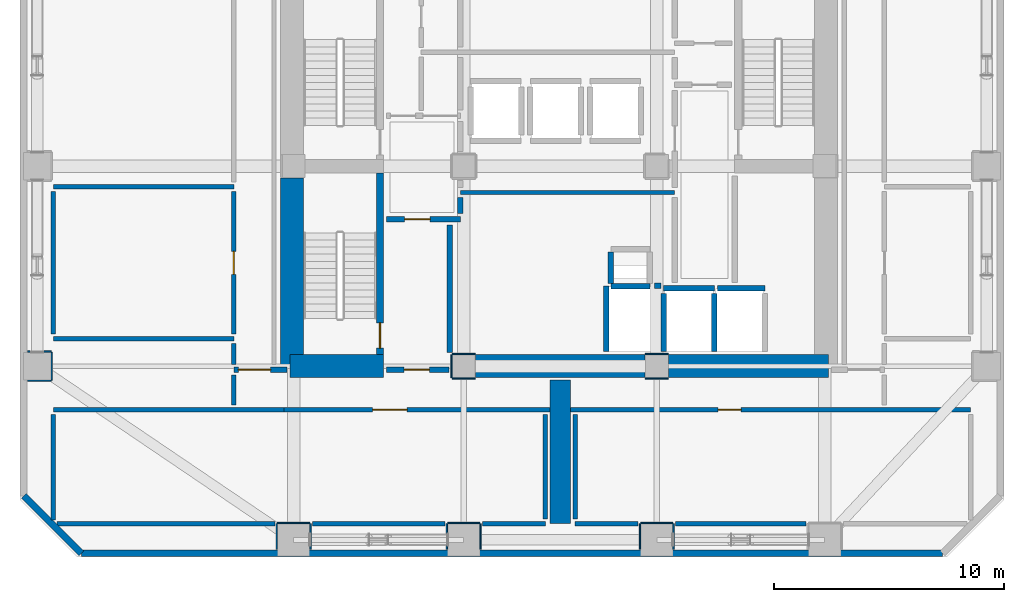
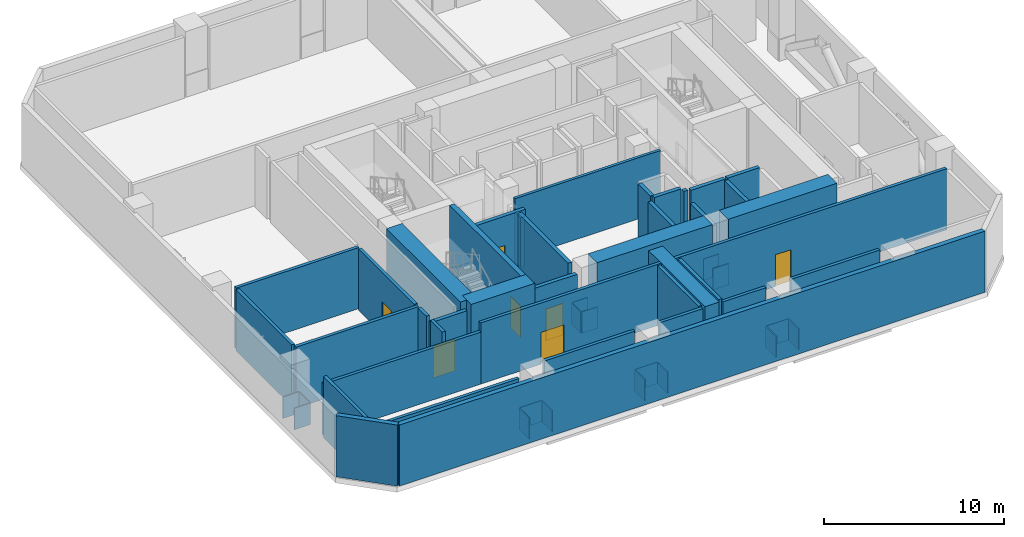
# One storey, part 7 of 11: 55 walls, 7 doors, 7 openings.
"""IFC4 building model written with IfcOpenShell, lengths in metres."""

from ifc_helpers import new_model, si_unit, direction, frame, frame_2d, origin, place, context, subcontext, project, spatial, rectangle, extrude, material, layer, layer_set, type_object, element, fill, save


model = new_model("IFC4")

# Units and contexts
model_context = context("Model", 3, precision=1e-05, world=origin(), true_north=direction((0.0, 1.0)))
body_context = subcontext(model_context, "Body", "Model", "MODEL_VIEW")
ifc_project = project(units=[si_unit("LENGTHUNIT", "METRE"), si_unit("AREAUNIT", "SQUARE_METRE"), si_unit("VOLUMEUNIT", "CUBIC_METRE"), si_unit("PLANEANGLEUNIT", "RADIAN"), si_unit("MASSUNIT", "GRAM", prefix="KILO")], contexts=[model_context])

# Site, building, storey
site_placement = place(None, origin())
site = spatial("IfcSite", under=ifc_project, at=site_placement, CompositionType="ELEMENT")
building_placement = place(site_placement, origin())
building = spatial("IfcBuilding", under=site, at=building_placement, Name="Solanera Arch Residences", CompositionType="ELEMENT")
storey_placement = place(building_placement, frame((0.0, 0.0, 88.39990234375)))
storey = spatial("IfcBuildingStorey", under=building, at=storey_placement, Name="L25", CompositionType="ELEMENT", Elevation=88.39990234375)

# Walls
ifc_material_1 = material(Name="Fire-Rated Gypsum Stud Partition", Category="gypsum")
ifc_layer_1 = layer(ifc_material_1, 0.06005859375)
ifc_layer_set_1 = layer_set([ifc_layer_1], Name="Fire-Rated Gypsum Stud Partition")
wall_type_1 = type_object("IfcWallType", Name="Column Acoustic Furring Wall 60", PredefinedType="PARTITIONING", material=ifc_layer_set_1)
for number, where, z_axis, x_axis, name in (
    (1, (20.300048828125, 21.468017578125, 0.0), (0.0, 0.0, 1.0), (1.0, 0.0, 0.0), "L25 Column Furring 1S"),
    (2, (20.300048828125, 22.531982421875, 0.0), (0.0, 0.0, 1.0), (1.0, 0.0, 0.0), "L25 Column Furring 1N"),
    (3, (20.26806640625, 21.5, 0.0), (0.0, 0.0, 1.0), (0.0, 1.0, 0.0), "L25 Column Furring 1W"),
    (4, (28.699951171875, 21.468017578125, 0.0), (0.0, 0.0, 1.0), (1.0, 0.0, 0.0), "L25 Column Furring 2S"),
    (5, (28.699951171875, 22.531982421875, 0.0), (0.0, 0.0, 1.0), (1.0, 0.0, 0.0), "L25 Column Furring 2N"),
):
    element("IfcWall", number, at=place(storey_placement, frame(where, z_axis=z_axis, x_axis=x_axis)), inside=storey, type_object=wall_type_1, Name=name, PredefinedType="PARTITIONING", context=body_context, shape_type="SweptSolid", body=[
        extrude(rectangle(XDim=1.0, YDim=0.06005859375, at=frame_2d((0.5, 0.0))), origin(), (0.0, 0.0, 1.0), 1.4501953125),
    ])
wall_1_placement = place(storey_placement, frame((12.699951171875, 15.181884765625, 0.0), z_axis=(0.0, 0.0, 1.0), x_axis=(1.0, 0.0, 0.0)))
element("IfcWall", 6, at=wall_1_placement, inside=storey, type_object=wall_type_1, Name="L25 Column Furring 9N", PredefinedType="PARTITIONING", context=body_context, shape_type="SweptSolid", body=[
    extrude(rectangle(XDim=1.400146484375, YDim=0.06005859375, at=frame_2d((0.7001953125, 0.0))), origin(), (0.0, 0.0, 1.0), 1.4501953125),
])
for number, where, z_axis, x_axis, name in (
    (7, (12.66796875, 14.030029296875, 0.0), (0.0, 0.0, 1.0), (0.0, 1.0, 0.0), "L25 Column Furring 9W"),
    (8, (14.132080078125, 14.030029296875, 0.0), (0.0, 0.0, 1.0), (0.0, 1.0, 0.0), "L25 Column Furring 9E"),
):
    element("IfcWall", number, at=place(storey_placement, frame(where, z_axis=z_axis, x_axis=x_axis)), inside=storey, type_object=wall_type_1, Name=name, PredefinedType="PARTITIONING", context=body_context, shape_type="SweptSolid", body=[
        extrude(rectangle(XDim=1.119873046875, YDim=0.06005859375, at=frame_2d((0.56005859375, 0.0))), origin(), (0.0, 0.0, 1.0), 1.4501953125),
    ])
wall_2_placement = place(storey_placement, frame((20.10009765625, 15.181884765625, 0.0), z_axis=(0.0, 0.0, 1.0), x_axis=(1.0, 0.0, 0.0)))
element("IfcWall", 9, at=wall_2_placement, inside=storey, type_object=wall_type_1, Name="L25 Column Furring 11N", PredefinedType="PARTITIONING", context=body_context, shape_type="SweptSolid", body=[
    extrude(rectangle(XDim=1.39990234375, YDim=0.06005859375, at=frame_2d((0.699951171875, 0.0))), origin(), (0.0, 0.0, 1.0), 1.4501953125),
])
for number, where, z_axis, x_axis, name in (
    (10, (20.068115234375, 14.030029296875, 0.0), (0.0, 0.0, 1.0), (0.0, 1.0, 0.0), "L25 Column Furring 11W"),
    (11, (21.531982421875, 14.030029296875, 0.0), (0.0, 0.0, 1.0), (0.0, 1.0, 0.0), "L25 Column Furring 11E"),
):
    element("IfcWall", number, at=place(storey_placement, frame(where, z_axis=z_axis, x_axis=x_axis)), inside=storey, type_object=wall_type_1, Name=name, PredefinedType="PARTITIONING", context=body_context, shape_type="SweptSolid", body=[
        extrude(rectangle(XDim=1.119873046875, YDim=0.06005859375, at=frame_2d((0.56005859375, 0.0))), origin(), (0.0, 0.0, 1.0), 1.4501953125),
    ])
wall_3_placement = place(storey_placement, frame((28.5, 15.181884765625, 0.0), z_axis=(0.0, 0.0, 1.0), x_axis=(1.0, 0.0, 0.0)))
element("IfcWall", 12, at=wall_3_placement, inside=storey, type_object=wall_type_1, Name="L25 Column Furring 13N", PredefinedType="PARTITIONING", context=body_context, shape_type="SweptSolid", body=[
    extrude(rectangle(XDim=1.39990234375, YDim=0.06005859375, at=frame_2d((0.699951171875, 0.0))), origin(), (0.0, 0.0, 1.0), 1.4501953125),
])
for number, where, z_axis, x_axis, name in (
    (13, (28.468017578125, 14.030029296875, 0.0), (0.0, 0.0, 1.0), (0.0, 1.0, 0.0), "L25 Column Furring 13W"),
    (14, (29.931884765625, 14.030029296875, 0.0), (0.0, 0.0, 1.0), (0.0, 1.0, 0.0), "L25 Column Furring 13E"),
):
    element("IfcWall", number, at=place(storey_placement, frame(where, z_axis=z_axis, x_axis=x_axis)), inside=storey, type_object=wall_type_1, Name=name, PredefinedType="PARTITIONING", context=body_context, shape_type="SweptSolid", body=[
        extrude(rectangle(XDim=1.119873046875, YDim=0.06005859375, at=frame_2d((0.56005859375, 0.0))), origin(), (0.0, 0.0, 1.0), 1.4501953125),
    ])
for number, where, z_axis, x_axis, name in (
    (15, (1.830078125, 21.367919921875, 0.0), (0.0, 0.0, 1.0), (1.0, 0.0, 0.0), "L25 Column Furring 17S"),
    (16, (1.830078125, 22.632080078125, 0.0), (0.0, 0.0, 1.0), (1.0, 0.0, 0.0), "L25 Column Furring 17N"),
):
    element("IfcWall", number, at=place(storey_placement, frame(where, z_axis=z_axis, x_axis=x_axis)), inside=storey, type_object=wall_type_1, Name=name, PredefinedType="PARTITIONING", context=body_context, shape_type="SweptSolid", body=[
        extrude(rectangle(XDim=1.02001953125, YDim=0.06005859375, at=frame_2d((0.510009765625, 0.0))), origin(), (0.0, 0.0, 1.0), 1.4501953125),
    ])
wall_4_placement = place(storey_placement, frame((2.882080078125, 21.39990234375, 0.0), z_axis=(0.0, 0.0, 1.0), x_axis=(0.0, 1.0, 0.0)))
element("IfcWall", 17, at=wall_4_placement, inside=storey, type_object=wall_type_1, Name="L25 Column Furring 17E", PredefinedType="PARTITIONING", context=body_context, shape_type="SweptSolid", body=[
    extrude(rectangle(XDim=1.2001953125, YDim=0.06005859375, at=frame_2d((0.60009765625, 0.0))), origin(), (0.0, 0.0, 1.0), 1.4501953125),
])
ifc_material_2 = material(Name="Concrete C55/67 (f'c = 60 MPa)", Category="concrete")
ifc_layer_2 = layer(ifc_material_2, 1.0)
ifc_layer_set_2 = layer_set([ifc_layer_2], Name="Concrete C55/67 (f'c = 60 MPa)")
wall_type_2 = type_object("IfcWallType", Name="Core Shear Wall CW-1000", PredefinedType="SHEAR", material=ifc_layer_set_2)
wall_5_placement = place(storey_placement, frame((13.340087890625, 22.0, 0.0), z_axis=(0.0, 0.0, 1.0), x_axis=(0.0, 1.0, 0.0)))
element("IfcWall", 18, at=wall_5_placement, inside=storey, type_object=wall_type_2, Name="L25 West Core South Shear Wall", PredefinedType="SHEAR", context=body_context, shape_type="SweptSolid", body=[
    extrude(rectangle(XDim=8.195068359375, YDim=1.0, at=frame_2d((4.09765625, 0.0))), origin(), (0.0, 0.0, 1.0), 4.400146484375),
])
wall_6_placement = place(storey_placement, frame((13.239990234375, 22.0, 0.0), z_axis=(0.0, 0.0, 1.0), x_axis=(1.0, 0.0, 0.0)))
element("IfcWall", 19, at=wall_6_placement, inside=storey, type_object=wall_type_2, Name="L25 South-West Core Shear Wall", PredefinedType="SHEAR", context=body_context, shape_type="SweptSolid", body=[
    extrude(rectangle(XDim=4.080078125, YDim=1.0, at=frame_2d((2.0400390625, 0.0))), origin(), (0.0, 0.0, 1.0), 4.400146484375),
])
wall_7_placement = place(storey_placement, frame((29.705078125, 22.0, 0.0), z_axis=(0.0, 0.0, 1.0), x_axis=(1.0, 0.0, 0.0)))
element("IfcWall", 20, at=wall_7_placement, inside=storey, type_object=wall_type_2, Name="L25 South-East Core Shear Wall", PredefinedType="SHEAR", context=body_context, shape_type="SweptSolid", body=[
    extrude(rectangle(XDim=6.954833984375, YDim=1.0, at=frame_2d((3.4775390625, 0.0))), origin(), (0.0, 0.0, 1.0), 4.400146484375),
])
wall_8_placement = place(storey_placement, frame((21.304931640625, 22.0, 0.0), z_axis=(0.0, 0.0, 1.0), x_axis=(1.0, 0.0, 0.0)))
element("IfcWall", 21, at=wall_8_placement, inside=storey, type_object=wall_type_2, Name="L25 Central South Core Shear Wall", PredefinedType="SHEAR", context=body_context, shape_type="SweptSolid", body=[
    extrude(rectangle(XDim=7.39013671875, YDim=1.0, at=frame_2d((3.695068359375, 0.0))), origin(), (0.0, 0.0, 1.0), 4.400146484375),
])

# Wall, opening, door
ifc_material_3 = material(Name="Concrete C40/50 (f'c = 45 MPa)", Category="concrete")
ifc_layer_3 = layer(ifc_material_3, 0.320068359375)
ifc_layer_set_3 = layer_set([ifc_layer_3], Name="Concrete C40/50 (f'c = 45 MPa)")
wall_type_3 = type_object("IfcWallType", Name="Core Shear Wall CW-320", PredefinedType="SHEAR", material=ifc_layer_set_3)
wall_9_placement = place(storey_placement, frame((17.159912109375, 22.5, 0.0), z_axis=(0.0, 0.0, 1.0), x_axis=(0.0, 1.0, 0.0)))
wall_9 = element("IfcWall", 22, at=wall_9_placement, inside=storey, type_object=wall_type_3, Name="L25 Stair ST-T3 East Shear Wall", PredefinedType="SHEAR", context=body_context, shape_type="SweptSolid", body=[
    extrude(rectangle(XDim=7.89990234375, YDim=0.320068359375, at=frame_2d((3.949951171875, 0.0))), origin(), (0.0, 0.0, 1.0), 4.400146484375),
])
opening_1_placement = place(wall_9_placement, frame((0.2900390625, 0.0, 0.0)))
opening_1 = element("IfcOpeningElement", 23, at=opening_1_placement, cuts=wall_9, Name="Opening DF-01", PredefinedType="OPENING", context=body_context, shape_type="SweptSolid", body=[
    extrude(rectangle(XDim=1.10009765625, YDim=2.14990234375, at=frame_2d((0.550048828125, 1.074951171875))), frame((0.0, 0.169921875, 0.0), z_axis=(0.0, -1.0, 0.0), x_axis=(1.0, 0.0, 0.0)), (0.0, 0.0, 1.0), 0.3401),
])
ifc_material_4 = material(Name="Fire-Rated Architectural Hardwood", Category="wood")
door_type_1 = type_object("IfcDoorType", Name="Stair Exit Fire Door DF-01", OperationType="NOTDEFINED", PredefinedType="DOOR", material=ifc_material_4)
door_1_placement = place(opening_1_placement, origin())
door_1 = element("IfcDoor", 24, at=door_1_placement, inside=storey, type_object=door_type_1, Name="DR-L25-STAIR-ST-T3", OperationType="SINGLE_SWING_LEFT", OverallHeight=2.14990234375, OverallWidth=1.10009765625, PredefinedType="DOOR", context=body_context, shape_type="SweptSolid", body=[
    extrude(rectangle(XDim=1.10009765625, YDim=2.14990234375, at=frame_2d((0.550048828125, 1.074951171875))), frame((0.0, 0.02490234375, 0.0), z_axis=(0.0, -1.0, 0.0), x_axis=(1.0, 0.0, 0.0)), (0.0, 0.0, 1.0), 0.050048828125),
])
fill(opening_1, door_1)

# Walls
ifc_material_5 = material(Name="Concrete C55/67 (f'c = 60 MPa)", Category="concrete")
ifc_layer_4 = layer(ifc_material_5, 0.89990234375)
ifc_layer_set_4 = layer_set([ifc_layer_4], Name="Concrete C55/67 (f'c = 60 MPa)")
wall_type_4 = type_object("IfcWallType", Name="Core Shear Wall Outrigger OW-900", PredefinedType="SHEAR", material=ifc_layer_set_4)
wall_10_placement = place(storey_placement, frame((25.0, 15.14990234375, 0.0), z_axis=(0.0, 0.0, 1.0), x_axis=(0.0, 1.0, 0.0)))
element("IfcWall", 25, at=wall_10_placement, inside=storey, type_object=wall_type_4, Name="L25 South Outrigger Shear Wall", PredefinedType="SHEAR", context=body_context, shape_type="SweptSolid", body=[
    extrude(rectangle(XDim=6.25, YDim=0.89990234375, at=frame_2d((3.125, 0.0))), origin(), (0.0, 0.0, 1.0), 4.14013671875),
])
ifc_material_6 = material(Name="Autoclaved Aerated Concrete Blockwork", Category="masonry")
ifc_layer_5 = layer(ifc_material_6, 0.179931640625)
ifc_layer_set_5 = layer_set([ifc_layer_5], Name="Autoclaved Aerated Concrete Blockwork")
wall_type_5 = type_object("IfcWallType", Name="Corridor Fire Partition 180", PredefinedType="PARTITIONING", material=ifc_layer_set_5)
wall_11_placement = place(storey_placement, frame((20.64990234375, 29.550048828125, 0.0), z_axis=(0.0, 0.0, 1.0), x_axis=(1.0, 0.0, 0.0)))
element("IfcWall", 26, at=wall_11_placement, inside=storey, type_object=wall_type_5, Name="L25 Interior Partition H17", PredefinedType="PARTITIONING", context=body_context, shape_type="SweptSolid", body=[
    extrude(rectangle(XDim=9.3251953125, YDim=0.179931640625, at=frame_2d((4.66259765625, 0.0))), origin(), (0.0, 0.0, 1.0), 4.14013671875),
])
ifc_material_7 = material(Name="Precast Concrete C35/45", Category="concrete")
ifc_layer_6 = layer(ifc_material_7, 0.300048828125)
ifc_layer_set_6 = layer_set([ifc_layer_6], Name="Precast Concrete C35/45")
wall_type_6 = type_object("IfcWallType", Name="Exterior Wall Precast Masonry-Frame 300", PredefinedType="STANDARD", material=ifc_layer_set_6)
wall_12_placement = place(storey_placement, frame((41.635009765625, 13.864990234375, 0.0), z_axis=(0.0, 0.0, 1.0), x_axis=(-1.0, 0.0, 0.0)))
element("IfcWall", 27, at=wall_12_placement, inside=storey, type_object=wall_type_6, Name="L25 Tower Exterior Precast Masonry-Frame Wall S", PredefinedType="STANDARD", context=body_context, shape_type="SweptSolid", body=[
    extrude(rectangle(XDim=37.469970703125, YDim=0.300048828125, at=frame_2d((18.73486328125, 0.0))), origin(), (0.0, 0.0, 1.0), 4.14013671875),
])
wall_13_placement = place(storey_placement, frame((4.1650390625, 13.864990234375, 0.0), z_axis=(0.0, 0.0, 1.0), x_axis=(-0.707106781187, 0.707106781187, 0.0)))
element("IfcWall", 28, at=wall_13_placement, inside=storey, type_object=wall_type_6, Name="L25 Tower Exterior Precast Masonry-Frame Wall CH7", PredefinedType="STANDARD", context=body_context, shape_type="SweptSolid", body=[
    extrude(rectangle(XDim=3.53564453125, YDim=0.300048828125, at=frame_2d((1.767822265625, 0.0))), origin(), (0.0, 0.0, 1.0), 4.14013671875),
])
ifc_material_8 = material(Name="Autoclaved Aerated Concrete Blockwork", Category="masonry")
ifc_layer_7 = layer(ifc_material_8, 0.199951171875)
ifc_layer_set_7 = layer_set([ifc_layer_7], Name="Autoclaved Aerated Concrete Blockwork")
wall_type_7 = type_object("IfcWallType", Name="Party Wall Acoustic 200", PredefinedType="PARTITIONING", material=ifc_layer_set_7)
wall_14_placement = place(storey_placement, frame((3.10888671875, 15.14990234375, 0.0), z_axis=(0.0, 0.0, 1.0), x_axis=(1.0, 0.0, 0.0)))
element("IfcWall", 29, at=wall_14_placement, inside=storey, type_object=wall_type_7, Name="L25 Interior Partition H6 1", PredefinedType="PARTITIONING", context=body_context, shape_type="SweptSolid", body=[
    extrude(rectangle(XDim=9.47900390625, YDim=0.199951171875, at=frame_2d((4.739501953125, 0.0))), origin(), (0.0, 0.0, 1.0), 3.525146484375),
])
wall_15_placement = place(storey_placement, frame((14.2119140625, 15.14990234375, 0.0), z_axis=(0.0, 0.0, 1.0), x_axis=(1.0, 0.0, 0.0)))
element("IfcWall", 30, at=wall_15_placement, inside=storey, type_object=wall_type_7, Name="L25 Interior Partition H6 2", PredefinedType="PARTITIONING", context=body_context, shape_type="SweptSolid", body=[
    extrude(rectangle(XDim=5.776123046875, YDim=0.199951171875, at=frame_2d((2.88818359375, 0.0))), origin(), (0.0, 0.0, 1.0), 4.14013671875),
])
for number, where, z_axis, x_axis, name in (
    (31, (21.612060546875, 15.14990234375, 0.0), (0.0, 0.0, 1.0), (1.0, 0.0, 0.0), "L25 Interior Partition H6 3"),
    (32, (25.64990234375, 15.14990234375, 0.0), (0.0, 0.0, 1.0), (1.0, 0.0, 0.0), "L25 Interior Partition H7 1"),
):
    element("IfcWall", number, at=place(storey_placement, frame(where, z_axis=z_axis, x_axis=x_axis)), inside=storey, type_object=wall_type_7, Name=name, PredefinedType="PARTITIONING", context=body_context, shape_type="SweptSolid", body=[
        extrude(rectangle(XDim=2.738037109375, YDim=0.199951171875, at=frame_2d((1.369140625, 0.0))), origin(), (0.0, 0.0, 1.0), 4.14013671875),
    ])
wall_16_placement = place(storey_placement, frame((30.011962890625, 15.14990234375, 0.0), z_axis=(0.0, 0.0, 1.0), x_axis=(1.0, 0.0, 0.0)))
element("IfcWall", 33, at=wall_16_placement, inside=storey, type_object=wall_type_7, Name="L25 Interior Partition H7 2", PredefinedType="PARTITIONING", context=body_context, shape_type="SweptSolid", body=[
    extrude(rectangle(XDim=5.676025390625, YDim=0.199951171875, at=frame_2d((2.837890625, 0.0))), origin(), (0.0, 0.0, 1.0), 4.14013671875),
])
wall_17_placement = place(storey_placement, frame((2.949951171875, 20.10009765625, 0.0), z_axis=(0.0, 0.0, 1.0), x_axis=(1.0, 0.0, 0.0)))
element("IfcWall", 34, at=wall_17_placement, inside=storey, type_object=wall_type_7, Name="L25 Interior Partition H8 1", PredefinedType="PARTITIONING", context=body_context, shape_type="SweptSolid", body=[
    extrude(rectangle(XDim=10.04296875, YDim=0.199951171875, at=frame_2d((5.021484375, 0.0))), origin(), (0.0, 0.0, 1.0), 3.525146484375),
])

# Wall, openings, doors
wall_18_placement = place(storey_placement, frame((12.992919921875, 20.10009765625, 0.0), z_axis=(0.0, 0.0, 1.0), x_axis=(1.0, 0.0, 0.0)))
wall_18 = element("IfcWall", 35, at=wall_18_placement, inside=storey, type_object=wall_type_7, Name="L25 Interior Partition H8 2", PredefinedType="PARTITIONING", context=body_context, shape_type="SweptSolid", body=[
    extrude(rectangle(XDim=29.857177734375, YDim=0.199951171875, at=frame_2d((14.9287109375, 0.0))), origin(), (0.0, 0.0, 1.0), 4.14013671875),
])
opening_2_placement = place(wall_18_placement, frame((18.8720703125, 0.0, 0.0)))
opening_2 = element("IfcOpeningElement", 36, at=opening_2_placement, cuts=wall_18, Name="Opening DI-01", PredefinedType="OPENING", context=body_context, shape_type="SweptSolid", body=[
    extrude(rectangle(XDim=1.0, YDim=2.14990234375, at=frame_2d((0.5, 1.074951171875))), frame((0.0, 0.110107421875, 0.0), z_axis=(0.0, -1.0, 0.0), x_axis=(1.0, 0.0, 0.0)), (0.0, 0.0, 1.0), 0.22),
])
opening_3_placement = place(wall_18_placement, frame((3.842041015625, 0.0, 0.0)))
opening_3 = element("IfcOpeningElement", 37, at=opening_3_placement, cuts=wall_18, Name="Opening DP-01", PredefinedType="OPENING", context=body_context, shape_type="SweptSolid", body=[
    extrude(rectangle(XDim=1.5, YDim=2.14990234375, at=frame_2d((0.75, 1.074951171875))), frame((0.0, 0.110107421875, 0.0), z_axis=(0.0, -1.0, 0.0), x_axis=(1.0, 0.0, 0.0)), (0.0, 0.0, 1.0), 0.22),
])
ifc_material_9 = material(Name="Fire-Rated Architectural Hardwood", Category="wood")
door_type_2 = type_object("IfcDoorType", Name="Plant Double Fire Door DP-01", OperationType="NOTDEFINED", PredefinedType="DOOR", material=ifc_material_9)
door_2_placement = place(opening_3_placement, origin())
door_2 = element("IfcDoor", 38, at=door_2_placement, inside=storey, type_object=door_type_2, Name="DR-L25-IN-022", OperationType="SINGLE_SWING_RIGHT", OverallHeight=2.14990234375, OverallWidth=1.5, PredefinedType="DOOR", context=body_context, shape_type="SweptSolid", body=[
    extrude(rectangle(XDim=1.5, YDim=2.14990234375, at=frame_2d((0.75, 1.074951171875))), frame((0.0, 0.02490234375, 0.0), z_axis=(0.0, -1.0, 0.0), x_axis=(1.0, 0.0, 0.0)), (0.0, 0.0, 1.0), 0.050048828125),
])
fill(opening_3, door_2)
ifc_material_10 = material(Name="Fire-Rated Architectural Hardwood", Category="wood")
door_type_3 = type_object("IfcDoorType", Name="Unit Entrance Fire Door DI-01", OperationType="NOTDEFINED", PredefinedType="DOOR", material=ifc_material_10)
door_3_placement = place(opening_2_placement, origin())
door_3 = element("IfcDoor", 39, at=door_3_placement, inside=storey, type_object=door_type_3, Name="DR-L25-IN-019", OperationType="SINGLE_SWING_LEFT", OverallHeight=2.14990234375, OverallWidth=1.0, PredefinedType="DOOR", context=body_context, shape_type="SweptSolid", body=[
    extrude(rectangle(XDim=1.0, YDim=2.14990234375, at=frame_2d((0.5, 1.074951171875))), frame((0.0, 0.02490234375, 0.0), z_axis=(0.0, -1.0, 0.0), x_axis=(1.0, 0.0, 0.0)), (0.0, 0.0, 1.0), 0.050048828125),
])
fill(opening_2, door_3)

# Walls
for number, where, z_axis, x_axis, name in (
    (40, (2.949951171875, 23.199951171875, 0.0), (0.0, 0.0, 1.0), (1.0, 0.0, 0.0), "L25 Interior Partition H9"),
    (41, (2.949951171875, 29.800048828125, 0.0), (0.0, 0.0, 1.0), (1.0, 0.0, 0.0), "L25 Interior Partition H11"),
):
    element("IfcWall", number, at=place(storey_placement, frame(where, z_axis=z_axis, x_axis=x_axis)), inside=storey, type_object=wall_type_7, Name=name, PredefinedType="PARTITIONING", context=body_context, shape_type="SweptSolid", body=[
        extrude(rectangle(XDim=7.85009765625, YDim=0.199951171875, at=frame_2d((3.925048828125, 0.0))), origin(), (0.0, 0.0, 1.0), 4.14013671875),
    ])
wall_19_placement = place(storey_placement, frame((2.949951171875, 15.30908203125, 0.0), z_axis=(0.0, 0.0, 1.0), x_axis=(0.0, 1.0, 0.0)))
element("IfcWall", 42, at=wall_19_placement, inside=storey, type_object=wall_type_7, Name="L25 Interior Partition V6", PredefinedType="PARTITIONING", context=body_context, shape_type="SweptSolid", body=[
    extrude(rectangle(XDim=4.5830078125, YDim=0.199951171875, at=frame_2d((2.29150390625, 0.0))), origin(), (0.0, 0.0, 1.0), 4.14013671875),
])
wall_20_placement = place(storey_placement, frame((2.949951171875, 23.407958984375, 0.0), z_axis=(0.0, 0.0, 1.0), x_axis=(0.0, 1.0, 0.0)))
element("IfcWall", 43, at=wall_20_placement, inside=storey, type_object=wall_type_7, Name="L25 Interior Partition V7", PredefinedType="PARTITIONING", context=body_context, shape_type="SweptSolid", body=[
    extrude(rectangle(XDim=6.18408203125, YDim=0.199951171875, at=frame_2d((3.092041015625, 0.0))), origin(), (0.0, 0.0, 1.0), 4.14013671875),
])
wall_21_placement = place(storey_placement, frame((10.800048828125, 20.30810546875, 0.0), z_axis=(0.0, 0.0, 1.0), x_axis=(0.0, 1.0, 0.0)))
element("IfcWall", 44, at=wall_21_placement, inside=storey, type_object=wall_type_7, Name="L25 Interior Partition V9 1", PredefinedType="PARTITIONING", context=body_context, shape_type="SweptSolid", body=[
    extrude(rectangle(XDim=1.31396484375, YDim=0.199951171875, at=frame_2d((0.656982421875, 0.0))), origin(), (0.0, 0.0, 1.0), 4.14013671875),
])
wall_22_placement = place(storey_placement, frame((10.800048828125, 22.077880859375, 0.0), z_axis=(0.0, 0.0, 1.0), x_axis=(0.0, 1.0, 0.0)))
element("IfcWall", 45, at=wall_22_placement, inside=storey, type_object=wall_type_7, Name="L25 Interior Partition V9 2", PredefinedType="PARTITIONING", context=body_context, shape_type="SweptSolid", body=[
    extrude(rectangle(XDim=0.9140625, YDim=0.199951171875, at=frame_2d((0.45703125, 0.0))), origin(), (0.0, 0.0, 1.0), 4.14013671875),
])

# Wall, opening, door
wall_23_placement = place(storey_placement, frame((10.800048828125, 23.407958984375, 0.0), z_axis=(0.0, 0.0, 1.0), x_axis=(0.0, 1.0, 0.0)))
wall_23 = element("IfcWall", 46, at=wall_23_placement, inside=storey, type_object=wall_type_7, Name="L25 Interior Partition V9 3", PredefinedType="PARTITIONING", context=body_context, shape_type="SweptSolid", body=[
    extrude(rectangle(XDim=6.18408203125, YDim=0.199951171875, at=frame_2d((3.092041015625, 0.0))), origin(), (0.0, 0.0, 1.0), 4.14013671875),
])
opening_4_placement = place(wall_23_placement, frame((2.592041015625, 0.0, 0.0)))
opening_4 = element("IfcOpeningElement", 47, at=opening_4_placement, cuts=wall_23, Name="Opening DI-01", PredefinedType="OPENING", context=body_context, shape_type="SweptSolid", body=[
    extrude(rectangle(XDim=1.0, YDim=2.14990234375, at=frame_2d((0.5, 1.074951171875))), frame((0.0, 0.110107421875, 0.0), z_axis=(0.0, -1.0, 0.0), x_axis=(1.0, 0.0, 0.0)), (0.0, 0.0, 1.0), 0.22),
])
door_4_placement = place(opening_4_placement, origin())
door_4 = element("IfcDoor", 48, at=door_4_placement, inside=storey, type_object=door_type_3, Name="DR-L25-IN-017", OperationType="SINGLE_SWING_LEFT", OverallHeight=2.14990234375, OverallWidth=1.0, PredefinedType="DOOR", context=body_context, shape_type="SweptSolid", body=[
    extrude(rectangle(XDim=1.0, YDim=2.14990234375, at=frame_2d((0.5, 1.074951171875))), frame((0.0, 0.02490234375, 0.0), z_axis=(0.0, -1.0, 0.0), x_axis=(1.0, 0.0, 0.0)), (0.0, 0.0, 1.0), 0.050048828125),
])
fill(opening_4, door_4)

# Walls
for number, where, z_axis, x_axis, name in (
    (49, (24.35009765625, 15.35791015625, 0.0), (0.0, 0.0, 1.0), (0.0, 1.0, 0.0), "L25 Interior Partition V11"),
    (50, (25.64990234375, 15.35791015625, 0.0), (0.0, 0.0, 1.0), (0.0, 1.0, 0.0), "L25 Interior Partition V13"),
):
    element("IfcWall", number, at=place(storey_placement, frame(where, z_axis=z_axis, x_axis=x_axis)), inside=storey, type_object=wall_type_7, Name=name, PredefinedType="PARTITIONING", context=body_context, shape_type="SweptSolid", body=[
        extrude(rectangle(XDim=4.5341796875, YDim=0.199951171875, at=frame_2d((2.26708984375, 0.0))), origin(), (0.0, 0.0, 1.0), 4.14013671875),
    ])
ifc_material_11 = material(Name="Concrete C40/50 (f'c = 45 MPa)", Category="concrete")
ifc_layer_8 = layer(ifc_material_11, 0.239990234375)
ifc_layer_set_8 = layer_set([ifc_layer_8], Name="Concrete C40/50 (f'c = 45 MPa)")
wall_type_8 = type_object("IfcWallType", Name="Ramp Bearing Shear Wall RW-240", PredefinedType="SHEAR", material=ifc_layer_set_8)
wall_24_placement = place(storey_placement, frame((27.199951171875, 25.47998046875, 0.0), z_axis=(0.0, 0.0, 1.0), x_axis=(1.0, 0.0, 0.0)))
element("IfcWall", 51, at=wall_24_placement, inside=storey, type_object=wall_type_8, Name="L25 Core MEP Riser South Shaft Wall", PredefinedType="SHEAR", context=body_context, shape_type="SweptSolid", body=[
    extrude(rectangle(XDim=1.699951171875, YDim=0.239990234375, at=frame_2d((0.85009765625, 0.0))), origin(), (0.0, 0.0, 1.0), 4.400146484375),
])
wall_25_placement = place(storey_placement, frame((27.199951171875, 25.60009765625, 0.0), z_axis=(0.0, 0.0, 1.0), x_axis=(0.0, 1.0, 0.0)))
element("IfcWall", 52, at=wall_25_placement, inside=storey, type_object=wall_type_8, Name="L25 Core MEP Riser West Shaft Wall", PredefinedType="SHEAR", context=body_context, shape_type="SweptSolid", body=[
    extrude(rectangle(XDim=1.35986328125, YDim=0.239990234375, at=frame_2d((0.679931640625, 0.0))), origin(), (0.0, 0.0, 1.0), 4.400146484375),
])
ifc_material_12 = material(Name="Autoclaved Aerated Concrete Blockwork", Category="masonry")
ifc_layer_9 = layer(ifc_material_12, 0.239990234375)
ifc_layer_set_9 = layer_set([ifc_layer_9], Name="Autoclaved Aerated Concrete Blockwork")
wall_type_9 = type_object("IfcWallType", Name="Shaft Wall Fire-Rated 240", PredefinedType="PARTITIONING", material=ifc_layer_set_9)
wall_26_placement = place(storey_placement, frame((29.5, 25.39990234375, 0.0), z_axis=(0.0, 0.0, 1.0), x_axis=(1.0, 0.0, 0.0)))
element("IfcWall", 53, at=wall_26_placement, inside=storey, type_object=wall_type_9, Name="L25 Lift FFL-1 Hoistway Wall N", PredefinedType="PARTITIONING", context=body_context, shape_type="SweptSolid", body=[
    extrude(rectangle(XDim=2.199951171875, YDim=0.239990234375, at=frame_2d((1.10009765625, 0.0))), origin(), (0.0, 0.0, 1.0), 4.14013671875),
])
wall_27_placement = place(storey_placement, frame((29.5, 22.632080078125, 0.0), z_axis=(0.0, 0.0, 1.0), x_axis=(0.0, 1.0, 0.0)))
element("IfcWall", 54, at=wall_27_placement, inside=storey, type_object=wall_type_9, Name="L25 Lift FFL-1 Hoistway Wall W", PredefinedType="PARTITIONING", context=body_context, shape_type="SweptSolid", body=[
    extrude(rectangle(XDim=2.52001953125, YDim=0.239990234375, at=frame_2d((1.260009765625, 0.0))), origin(), (0.0, 0.0, 1.0), 3.375),
])
wall_28_placement = place(storey_placement, frame((31.699951171875, 22.6298828125, 0.0), z_axis=(0.0, 0.0, 1.0), x_axis=(0.0, 1.0, 0.0)))
element("IfcWall", 55, at=wall_28_placement, inside=storey, type_object=wall_type_9, Name="L25 Lift FFL-1 Hoistway Wall E", PredefinedType="PARTITIONING", context=body_context, shape_type="SweptSolid", body=[
    extrude(rectangle(XDim=2.522216796875, YDim=0.239990234375, at=frame_2d((1.26123046875, 0.0))), origin(), (0.0, 0.0, 1.0), 4.14013671875),
])
wall_29_placement = place(storey_placement, frame((31.827880859375, 25.39990234375, 0.0), z_axis=(0.0, 0.0, 1.0), x_axis=(1.0, 0.0, 0.0)))
element("IfcWall", 56, at=wall_29_placement, inside=storey, type_object=wall_type_9, Name="L25 Lift FFL-2 Hoistway Wall N", PredefinedType="PARTITIONING", context=body_context, shape_type="SweptSolid", body=[
    extrude(rectangle(XDim=2.072021484375, YDim=0.239990234375, at=frame_2d((1.0361328125, 0.0))), origin(), (0.0, 0.0, 1.0), 4.14013671875),
])
wall_30_placement = place(storey_placement, frame((29.10302734375, 25.5, 0.0), z_axis=(0.0, 0.0, 1.0), x_axis=(1.0, 0.0, 0.0)))
element("IfcWall", 57, at=wall_30_placement, inside=storey, type_object=wall_type_9, Name="L25 Lift SVL-1 Hoistway Wall N", PredefinedType="PARTITIONING", context=body_context, shape_type="SweptSolid", body=[
    extrude(rectangle(XDim=0.26904296875, YDim=0.239990234375, at=frame_2d((0.134521484375, 0.0))), origin(), (0.0, 0.0, 1.0), 4.14013671875),
])
wall_31_placement = place(storey_placement, frame((27.0, 22.6298828125, 0.0), z_axis=(0.0, 0.0, 1.0), x_axis=(0.0, 1.0, 0.0)))
element("IfcWall", 58, at=wall_31_placement, inside=storey, type_object=wall_type_9, Name="L25 Lift SVL-1 Hoistway Wall W", PredefinedType="PARTITIONING", context=body_context, shape_type="SweptSolid", body=[
    extrude(rectangle(XDim=2.8681640625, YDim=0.239990234375, at=frame_2d((1.43408203125, 0.0))), origin(), (0.0, 0.0, 1.0), 4.14013671875),
])

# Wall, opening, door
wall_32_placement = place(storey_placement, frame((10.800048828125, 21.85009765625, 0.0), z_axis=(0.0, 0.0, 1.0), x_axis=(1.0, 0.0, 0.0)))
wall_32 = element("IfcWall", 59, at=wall_32_placement, inside=storey, type_object=wall_type_9, Name="L25 Interior Partition H1 1", PredefinedType="PARTITIONING", context=body_context, shape_type="SweptSolid", body=[
    extrude(rectangle(XDim=2.31005859375, YDim=0.239990234375, at=frame_2d((1.155029296875, 0.0))), origin(), (0.0, 0.0, 1.0), 3.878173828125),
])
opening_5_placement = place(wall_32_placement, frame((0.198974609375, 0.0, 0.0)))
opening_5 = element("IfcOpeningElement", 60, at=opening_5_placement, cuts=wall_32, Name="Opening DF-03", PredefinedType="OPENING", context=body_context, shape_type="SweptSolid", body=[
    extrude(rectangle(XDim=1.39990234375, YDim=2.14990234375, at=frame_2d((0.699951171875, 1.074951171875))), frame((0.0, 0.1298828125, 0.0), z_axis=(0.0, -1.0, 0.0), x_axis=(1.0, 0.0, 0.0)), (0.0, 0.0, 1.0), 0.26),
])
ifc_material_13 = material(Name="Fire-Rated Architectural Hardwood", Category="wood")
door_type_4 = type_object("IfcDoorType", Name="Corridor Smoke Door DF-03", OperationType="NOTDEFINED", PredefinedType="DOOR", material=ifc_material_13)
door_5_placement = place(opening_5_placement, origin())
door_5 = element("IfcDoor", 61, at=door_5_placement, inside=storey, type_object=door_type_4, Name="DR-L25-IN-010", OperationType="SINGLE_SWING_RIGHT", OverallHeight=2.14990234375, OverallWidth=1.39990234375, PredefinedType="DOOR", context=body_context, shape_type="SweptSolid", body=[
    extrude(rectangle(XDim=1.39990234375, YDim=2.14990234375, at=frame_2d((0.699951171875, 1.074951171875))), frame((0.0, 0.02490234375, 0.0), z_axis=(0.0, -1.0, 0.0), x_axis=(1.0, 0.0, 0.0)), (0.0, 0.0, 1.0), 0.050048828125),
])
fill(opening_5, door_5)

wall_33_placement = place(storey_placement, frame((17.449951171875, 21.85009765625, 0.0), z_axis=(0.0, 0.0, 1.0), x_axis=(1.0, 0.0, 0.0)))
wall_33 = element("IfcWall", 62, at=wall_33_placement, inside=storey, type_object=wall_type_9, Name="L25 Interior Partition H1 2", PredefinedType="PARTITIONING", context=body_context, shape_type="SweptSolid", body=[
    extrude(rectangle(XDim=2.718017578125, YDim=0.239990234375, at=frame_2d((1.35888671875, 0.0))), origin(), (0.0, 0.0, 1.0), 3.878173828125),
])
opening_6_placement = place(wall_33_placement, frame((0.760009765625, 0.0, 0.0)))
opening_6 = element("IfcOpeningElement", 63, at=opening_6_placement, cuts=wall_33, Name="Opening DF-02", PredefinedType="OPENING", context=body_context, shape_type="SweptSolid", body=[
    extrude(rectangle(XDim=1.10009765625, YDim=2.14990234375, at=frame_2d((0.550048828125, 1.074951171875))), frame((0.0, 0.1298828125, 0.0), z_axis=(0.0, -1.0, 0.0), x_axis=(1.0, 0.0, 0.0)), (0.0, 0.0, 1.0), 0.26),
])
ifc_material_14 = material(Name="Fire-Rated Architectural Hardwood", Category="wood")
door_type_5 = type_object("IfcDoorType", Name="Firefighting Lobby Fire Door DF-02", OperationType="NOTDEFINED", PredefinedType="DOOR", material=ifc_material_14)
door_6_placement = place(opening_6_placement, origin())
door_6 = element("IfcDoor", 64, at=door_6_placement, inside=storey, type_object=door_type_5, Name="DR-L25-IN-008", OperationType="SINGLE_SWING_RIGHT", OverallHeight=2.14990234375, OverallWidth=1.10009765625, PredefinedType="DOOR", context=body_context, shape_type="SweptSolid", body=[
    extrude(rectangle(XDim=1.10009765625, YDim=2.14990234375, at=frame_2d((0.550048828125, 1.074951171875))), frame((0.0, 0.02490234375, 0.0), z_axis=(0.0, -1.0, 0.0), x_axis=(1.0, 0.0, 0.0)), (0.0, 0.0, 1.0), 0.050048828125),
])
fill(opening_6, door_6)

wall_34_placement = place(storey_placement, frame((17.449951171875, 28.39990234375, 0.0), z_axis=(0.0, 0.0, 1.0), x_axis=(1.0, 0.0, 0.0)))
wall_34 = element("IfcWall", 65, at=wall_34_placement, inside=storey, type_object=wall_type_9, Name="L25 Interior Partition H3", PredefinedType="PARTITIONING", context=body_context, shape_type="SweptSolid", body=[
    extrude(rectangle(XDim=3.199951171875, YDim=0.239990234375, at=frame_2d((1.60009765625, 0.0))), origin(), (0.0, 0.0, 1.0), 4.14013671875),
])
opening_7_placement = place(wall_34_placement, frame((0.783935546875, 0.0, 0.0)))
opening_7 = element("IfcOpeningElement", 66, at=opening_7_placement, cuts=wall_34, Name="Opening DF-02", PredefinedType="OPENING", context=body_context, shape_type="SweptSolid", body=[
    extrude(rectangle(XDim=1.10009765625, YDim=2.14990234375, at=frame_2d((0.550048828125, 1.074951171875))), frame((0.0, 0.1298828125, 0.0), z_axis=(0.0, -1.0, 0.0), x_axis=(1.0, 0.0, 0.0)), (0.0, 0.0, 1.0), 0.26),
])
door_7_placement = place(opening_7_placement, origin())
door_7 = element("IfcDoor", 67, at=door_7_placement, inside=storey, type_object=door_type_5, Name="DR-L25-IN-004", OperationType="SINGLE_SWING_RIGHT", OverallHeight=2.14990234375, OverallWidth=1.10009765625, PredefinedType="DOOR", context=body_context, shape_type="SweptSolid", body=[
    extrude(rectangle(XDim=1.10009765625, YDim=2.14990234375, at=frame_2d((0.550048828125, 1.074951171875))), frame((0.0, 0.02490234375, 0.0), z_axis=(0.0, -1.0, 0.0), x_axis=(1.0, 0.0, 0.0)), (0.0, 0.0, 1.0), 0.050048828125),
])
fill(opening_7, door_7)

# Walls
wall_35_placement = place(storey_placement, frame((20.199951171875, 22.5859375, 0.0), z_axis=(0.0, 0.0, 1.0), x_axis=(0.0, 1.0, 0.0)))
element("IfcWall", 68, at=wall_35_placement, inside=storey, type_object=wall_type_9, Name="L25 Interior Partition V2", PredefinedType="PARTITIONING", context=body_context, shape_type="SweptSolid", body=[
    extrude(rectangle(XDim=5.566162109375, YDim=0.239990234375, at=frame_2d((2.783203125, 0.0))), origin(), (0.0, 0.0, 1.0), 4.14013671875),
])
wall_36_placement = place(storey_placement, frame((20.64990234375, 28.64794921875, 0.0), z_axis=(0.0, 0.0, 1.0), x_axis=(0.0, 1.0, 0.0)))
element("IfcWall", 69, at=wall_36_placement, inside=storey, type_object=wall_type_9, Name="L25 Interior Partition V3 1", PredefinedType="PARTITIONING", context=body_context, shape_type="SweptSolid", body=[
    extrude(rectangle(XDim=0.68408203125, YDim=0.239990234375, at=frame_2d((0.342041015625, 0.0))), origin(), (0.0, 0.0, 1.0), 3.375),
])

save(model, "model.ifc")
